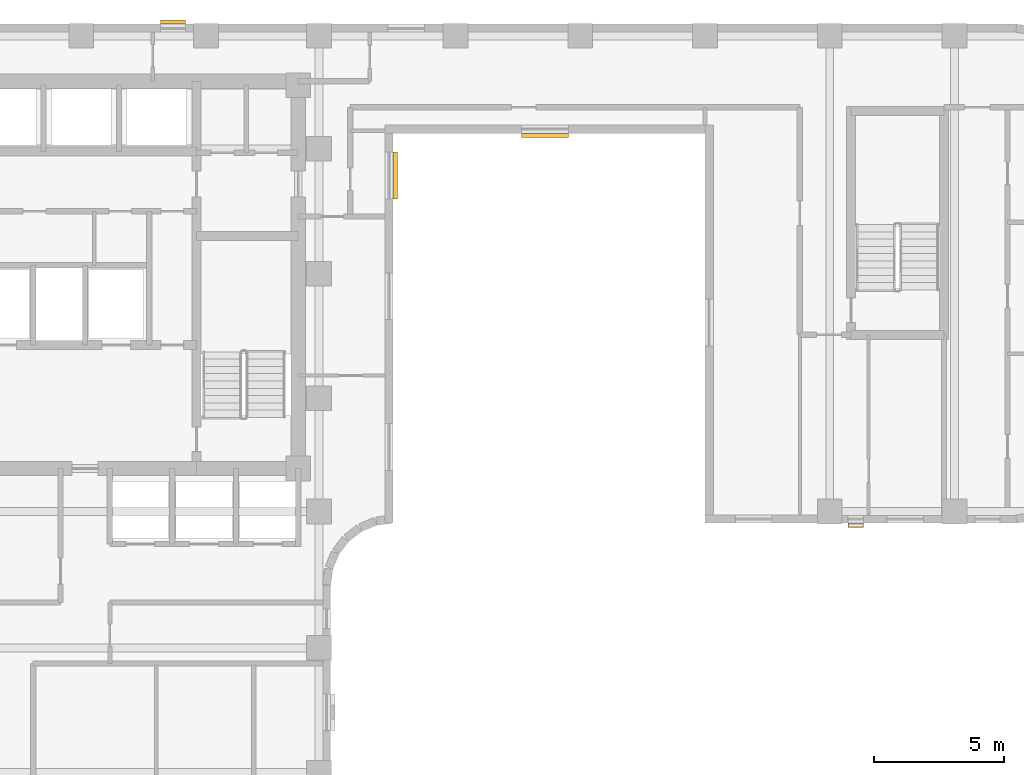
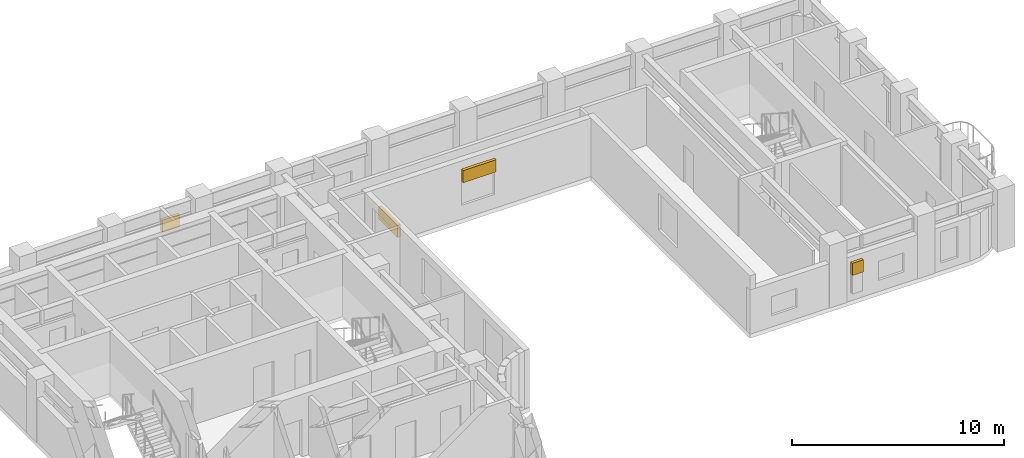
# One storey, part 10 of 10: 4 shading devices.
"""IFC4 building model written with IfcOpenShell, lengths in metres."""

from ifc_helpers import new_model, si_unit, direction, frame, origin, origin_2d, place, context, subcontext, project, spatial, rectangle, extrude, material, type_object, element, save


model = new_model("IFC4")

# Units and contexts
model_context = context("Model", 3, precision=1e-05, world=origin(), true_north=direction((0.0, 1.0)))
body_context = subcontext(model_context, "Body", "Model", "MODEL_VIEW")
ifc_project = project(units=[si_unit("LENGTHUNIT", "METRE"), si_unit("AREAUNIT", "SQUARE_METRE"), si_unit("VOLUMEUNIT", "CUBIC_METRE"), si_unit("PLANEANGLEUNIT", "RADIAN"), si_unit("MASSUNIT", "GRAM", prefix="KILO")], contexts=[model_context])

# Site, building, storey
site_placement = place(None, origin())
site = spatial("IfcSite", under=ifc_project, at=site_placement, CompositionType="ELEMENT")
building_placement = place(site_placement, origin())
building = spatial("IfcBuilding", under=site, at=building_placement, Name="Orvandelia Arch Residences", CompositionType="ELEMENT")
storey_placement = place(building_placement, frame((0.0, 0.0, 179.199951171875)))
storey = spatial("IfcBuildingStorey", under=building, at=storey_placement, Name="L47", CompositionType="ELEMENT", Elevation=179.199951171875)

# Shading devices
ifc_material = material(Name="Anodised Champagne-Bronze Extruded Aluminium", Category="aluminium")
shading_device_type = type_object("IfcShadingDeviceType", Name="SHD-JALOUSIE-SCREEN", PredefinedType="JALOUSIE", material=ifc_material)
shading_device_1_placement = place(storey_placement, frame((17.927490234375, 48.080078125, 1.55029296875), z_axis=(0.0, 0.0, 1.0), x_axis=(1.0, 0.0, 0.0)))
element("IfcShadingDevice", 1, at=shading_device_1_placement, inside=storey, type_object=shading_device_type, Name="Bronze Jalousie Sun-Shade L47-001", PredefinedType="JALOUSIE", context=body_context, shape_type="SweptSolid", body=[
    extrude(rectangle(XDim=0.949951171875, YDim=0.159912109375, at=origin_2d()), origin(), (0.0, 0.0, 1.0), 0.699951171875),
])
shading_device_2_placement = place(storey_placement, frame((44.197509765625, 28.719970703125, 1.55029296875), z_axis=(0.0, 0.0, 1.0), x_axis=(-1.0, 0.0, 0.0)))
element("IfcShadingDevice", 2, at=shading_device_2_placement, inside=storey, type_object=shading_device_type, Name="Bronze Jalousie Sun-Shade L47-003", PredefinedType="JALOUSIE", context=body_context, shape_type="SweptSolid", body=[
    extrude(rectangle(XDim=0.60009765625, YDim=0.159912109375, at=origin_2d()), origin(), (0.0, 0.0, 1.0), 0.699951171875),
])
for number, where, z_axis, x_axis, name in (
    (3, (32.239990234375, 43.719970703125, 2.2001953125), (0.0, 0.0, 1.0), (-1.0, 0.0, 0.0), "Bronze Jalousie Sun-Shade L47-004"),
    (4, (26.47998046875, 42.179931640625, 2.2001953125), (0.0, 0.0, 1.0), (0.0, -1.0, 0.0), "Bronze Jalousie Sun-Shade L47-005"),
):
    element("IfcShadingDevice", number, at=place(storey_placement, frame(where, z_axis=z_axis, x_axis=x_axis)), inside=storey, type_object=shading_device_type, Name=name, PredefinedType="JALOUSIE", context=body_context, shape_type="SweptSolid", body=[
        extrude(rectangle(XDim=1.800048828125, YDim=0.159912109375, at=origin_2d()), origin(), (0.0, 0.0, 1.0), 0.699951171875),
    ])

save(model, "model.ifc")
